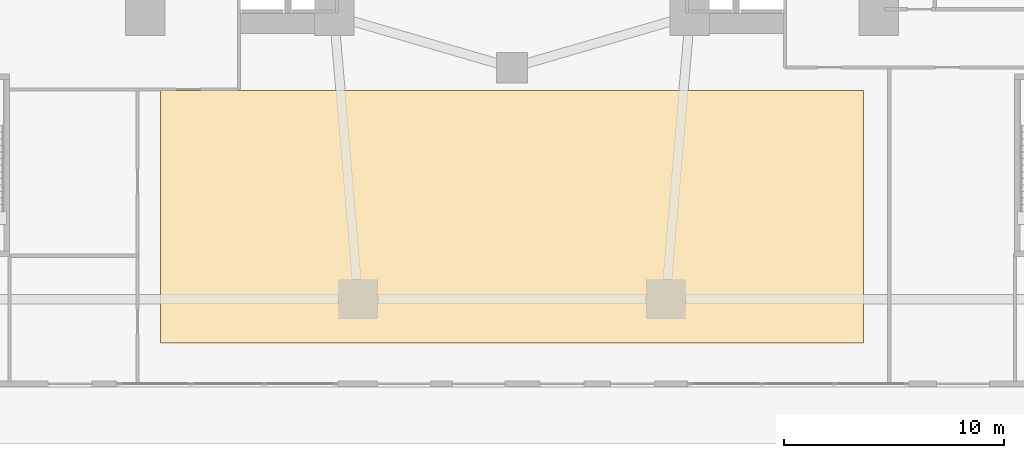
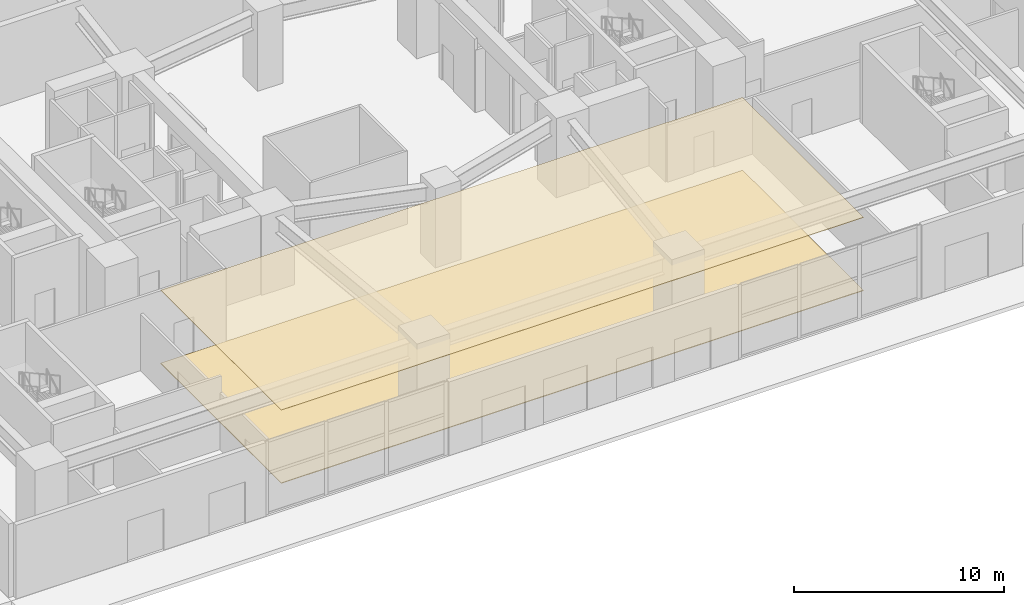
# One storey, part 16 of 18: 2 coverings.
"""IFC4 building model written with IfcOpenShell, lengths in metres."""

from ifc_helpers import new_model, si_unit, direction, frame, origin, place, context, subcontext, project, spatial, polyline, outline, extrude, material, layer, layer_set, type_object, element, save


model = new_model("IFC4")

# Units and contexts
model_context = context("Model", 3, precision=1e-05, world=origin(), true_north=direction((0.0, 1.0)))
body_context = subcontext(model_context, "Body", "Model", "MODEL_VIEW")
ifc_project = project(units=[si_unit("LENGTHUNIT", "METRE"), si_unit("AREAUNIT", "SQUARE_METRE"), si_unit("VOLUMEUNIT", "CUBIC_METRE"), si_unit("PLANEANGLEUNIT", "RADIAN"), si_unit("MASSUNIT", "GRAM", prefix="KILO")], contexts=[model_context])

# Site, building, storey
site_placement = place(None, origin())
site = spatial("IfcSite", under=ifc_project, at=site_placement, CompositionType="ELEMENT")
building_placement = place(site_placement, origin())
building = spatial("IfcBuilding", under=site, at=building_placement, Name="Solvane Sanctuary Tower", CompositionType="ELEMENT")
storey_placement = place(building_placement, origin())
storey = spatial("IfcBuildingStorey", under=building, at=storey_placement, Name="L01", CompositionType="ELEMENT", Elevation=0.0)

# Coverings
ifc_material_1 = material(Name="Acoustic Gypsum Partition Board")
ifc_layer_1 = layer(ifc_material_1, 0.02490234375, Name="Acoustic Gypsum Partition Board")
ifc_layer_set_1 = layer_set([ifc_layer_1], Name="Acoustic Gypsum Partition Board")
covering_type_1 = type_object("IfcCoveringType", Name="Covering CLG-ACOUST", PredefinedType="CEILING", material=ifc_layer_set_1)
covering_1_placement = place(storey_placement, frame((0.0, 0.0, 4.25)))
element("IfcCovering", 1, at=covering_1_placement, inside=storey, type_object=covering_type_1, Name="L01 Arrival Concourse Acoustic Ceiling", PredefinedType="CEILING", context=body_context, shape_type="SweptSolid", body=[
    extrude(outline(polyline([(16.0, 2.0), (48.0, 2.0), (48.0, 13.5), (16.0, 13.5), (16.0, 2.0)])), origin(), (0.0, 0.0, 1.0), 0.030029296875),
])
ifc_material_2 = material(Name="Ceramic Tile Finish")
ifc_layer_2 = layer(ifc_material_2, 0.030029296875, Name="Ceramic Tile Finish")
ifc_layer_set_2 = layer_set([ifc_layer_2], Name="Ceramic Tile Finish")
covering_type_2 = type_object("IfcCoveringType", Name="Covering FLR-TERRAZZO", PredefinedType="FLOORING", material=ifc_layer_set_2)
covering_2_placement = place(storey_placement, origin())
element("IfcCovering", 2, at=covering_2_placement, inside=storey, type_object=covering_type_2, Name="L01 Arrival Concourse Terrazzo Finish", PredefinedType="FLOORING", context=body_context, shape_type="SweptSolid", body=[
    extrude(outline(polyline([(16.0, 2.0), (48.0, 2.0), (48.0, 13.5), (16.0, 13.5), (16.0, 2.0)])), origin(), (0.0, 0.0, 1.0), 0.0400390625),
])

save(model, "model.ifc")
